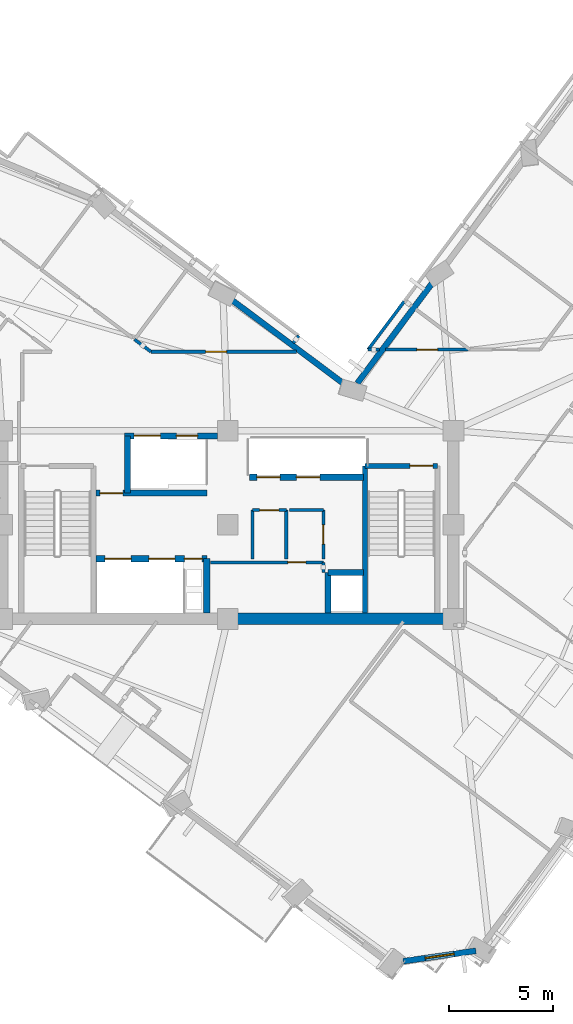
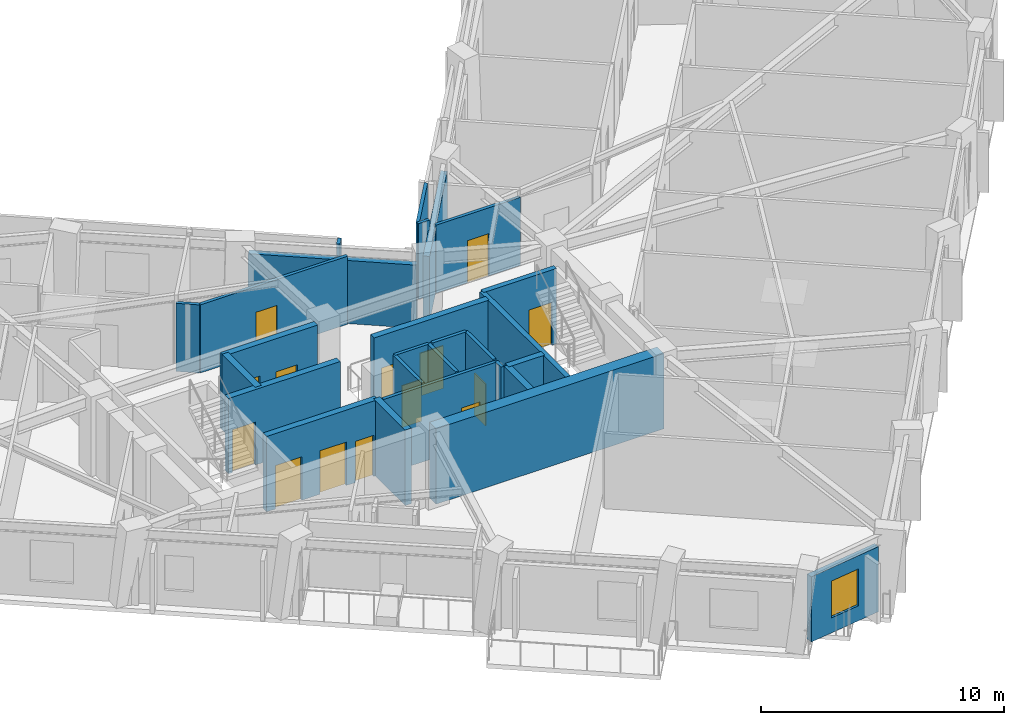
# One storey, part 4 of 12: 27 walls, 14 doors, 1 window, 15 openings.
"""IFC4 building model written with IfcOpenShell, lengths in metres."""

from ifc_helpers import new_model, si_unit, direction, frame, frame_2d, origin, place, context, subcontext, project, spatial, rectangle, extrude, material, layer, layer_set, type_object, element, fill, save


model = new_model("IFC4")

# Units and contexts
model_context = context("Model", 3, precision=1e-05, world=origin(), true_north=direction((0.0, 1.0)))
body_context = subcontext(model_context, "Body", "Model", "MODEL_VIEW")
ifc_project = project(units=[si_unit("LENGTHUNIT", "METRE"), si_unit("AREAUNIT", "SQUARE_METRE"), si_unit("VOLUMEUNIT", "CUBIC_METRE"), si_unit("PLANEANGLEUNIT", "RADIAN"), si_unit("MASSUNIT", "GRAM", prefix="KILO")], contexts=[model_context])

# Site, building, storey
site_placement = place(None, origin())
site = spatial("IfcSite", under=ifc_project, at=site_placement, CompositionType="ELEMENT")
building_placement = place(site_placement, origin())
building = spatial("IfcBuilding", under=site, at=building_placement, Name="Gaonmaruhae Medical Tower", CompositionType="ELEMENT")
storey_placement = place(building_placement, frame((0.0, 0.0, 251.199951171875)))
storey = spatial("IfcBuildingStorey", under=building, at=storey_placement, Name="L60", CompositionType="ELEMENT", Elevation=251.199951171875)

# Walls
ifc_material_1 = material(Name="Concrete C50/60", Category="concrete")
ifc_layer_1 = layer(ifc_material_1, 0.550048828125)
ifc_layer_set_1 = layer_set([ifc_layer_1], Name="Concrete C50/60")
wall_type_1 = type_object("IfcWallType", Name="CW-550 Mid-High Core Shear Wall", PredefinedType="SHEAR", material=ifc_layer_set_1)
wall_1_placement = place(storey_placement, frame((24.800048828125, 7.800048828125, 0.0), z_axis=(0.0, 0.0, 1.0), x_axis=(1.0, 0.0, 0.0)))
element("IfcWall", 1, at=wall_1_placement, inside=storey, type_object=wall_type_1, Name="L60 Core Shear Wall CSW-S2", PredefinedType="SHEAR", context=body_context, shape_type="SweptSolid", body=[
    extrude(rectangle(XDim=10.800048828125, YDim=0.550048828125, at=frame_2d((5.39990234375, 0.0))), origin(), (0.0, 0.0, 1.0), 3.780029296875),
])
ifc_material_2 = material(Name="Precast concrete C45/55", Category="concrete")
ifc_layer_2 = layer(ifc_material_2, 0.280029296875)
ifc_layer_set_2 = layer_set([ifc_layer_2], Name="Precast concrete C45/55")
wall_type_2 = type_object("IfcWallType", Name="EW-280 Upper Precast Masonry-Frame Facade Wall", PredefinedType="SOLIDWALL", material=ifc_layer_set_2)
wall_2_placement = place(storey_placement, frame((31.000244140625, 19.0712890625, 0.0), z_axis=(0.0, 0.0, 1.0), x_axis=(0.599041737495, 0.800717800938, 0.0)))
element("IfcWall", 2, at=wall_2_placement, inside=storey, type_object=wall_type_2, Name="L60 Precast Masonry-Frame Wall EN02-KN01", PredefinedType="SOLIDWALL", context=body_context, shape_type="SweptSolid", body=[
    extrude(rectangle(XDim=6.158203125, YDim=0.280029296875, at=frame_2d((3.0791015625, 0.0))), origin(), (0.0, 0.0, 1.0), 3.26513671875),
])
wall_3_placement = place(storey_placement, frame((24.9111328125, 23.1201171875, 0.0), z_axis=(0.0, 0.0, 1.0), x_axis=(0.800736238288, -0.599017092154, 0.0)))
element("IfcWall", 3, at=wall_3_placement, inside=storey, type_object=wall_type_2, Name="L60 Precast Masonry-Frame Wall KN01-NE01", PredefinedType="SOLIDWALL", context=body_context, shape_type="SweptSolid", body=[
    extrude(rectangle(XDim=6.9580078125, YDim=0.280029296875, at=frame_2d((3.47900390625, 0.0))), origin(), (0.0, 0.0, 1.0), 3.1650390625),
])

# Wall, opening, window
wall_4_placement = place(storey_placement, frame((36.677490234375, -8.083740234375, 0.0), z_axis=(0.0, 0.0, 1.0), x_axis=(-0.989775397088, -0.142634719897, 0.0)))
wall_4 = element("IfcWall", 4, at=wall_4_placement, inside=storey, type_object=wall_type_2, Name="L60 Precast Masonry-Frame Wall W06-S01", PredefinedType="SOLIDWALL", context=body_context, shape_type="SweptSolid", body=[
    extrude(rectangle(XDim=3.520751953125, YDim=0.280029296875, at=frame_2d((1.76025390625, 0.0))), origin(), (0.0, 0.0, 1.0), 3.26513671875),
])
opening_1_placement = place(wall_4_placement, frame((1.059814453125, 0.0, 0.75)))
opening_1 = element("IfcOpeningElement", 5, at=opening_1_placement, cuts=wall_4, Name="Opening WN-03", PredefinedType="OPENING", context=body_context, shape_type="SweptSolid", body=[
    extrude(rectangle(XDim=1.39990234375, YDim=1.85009765625, at=frame_2d((0.699951171875, 0.925048828125))), frame((0.0, 0.14990234375, 0.0), z_axis=(0.0, -1.0, 0.0), x_axis=(1.0, 0.0, 0.0)), (0.0, 0.0, 1.0), 0.300048828125),
])
ifc_material_3 = material(Name="Anodised aluminium and Low-E double glazing", Category="aluminium")
window_type = type_object("IfcWindowType", Name="WN-03 Isolation Ward Punched Window 1400x1850", PartitioningType="SINGLE_PANEL", PredefinedType="WINDOW", material=ifc_material_3)
window_placement = place(opening_1_placement, origin())
window = element("IfcWindow", 6, at=window_placement, inside=storey, type_object=window_type, Name="L60 Modular Facade Window W06", OverallHeight=1.85009765625, OverallWidth=1.39990234375, PartitioningType="SINGLE_PANEL", PredefinedType="WINDOW", context=body_context, shape_type="SweptSolid", body=[
    extrude(rectangle(XDim=1.39990234375, YDim=1.85009765625, at=frame_2d((0.699951171875, 0.925048828125))), frame((0.0, 0.030029296875, 0.0), z_axis=(0.0, -1.0, 0.0), x_axis=(1.0, 0.0, 0.0)), (0.0, 0.0, 1.0), 0.06005859375),
])
fill(opening_1, window)

# Wall, opening, door
ifc_material_4 = material(Name="Gypsum board partition", Category="gypsum")
ifc_layer_3 = layer(ifc_material_4, 0.14990234375)
ifc_layer_set_3 = layer_set([ifc_layer_3], Name="Gypsum board partition")
wall_type_3 = type_object("IfcWallType", Name="PW-150 Rated Clinical Corridor Partition", PredefinedType="PARTITIONING", material=ifc_layer_set_3)
wall_5_placement = place(storey_placement, frame((23.97998046875, 10.5, 0.0), z_axis=(0.0, 0.0, 1.0), x_axis=(1.0, 0.0, 0.0)))
wall_5 = element("IfcWall", 7, at=wall_5_placement, inside=storey, type_object=wall_type_3, Name="L60 Interior Partition L60-RCL1-1", PredefinedType="PARTITIONING", context=body_context, shape_type="SweptSolid", body=[
    extrude(rectangle(XDim=5.39990234375, YDim=0.14990234375, at=frame_2d((2.699951171875, 0.0))), origin(), (0.0, 0.0, 1.0), 3.780029296875),
])
opening_2_placement = place(wall_5_placement, frame((3.702880859375, 0.0, 0.0)))
opening_2 = element("IfcOpeningElement", 8, at=opening_2_placement, cuts=wall_5, Name="Opening AD-01", PredefinedType="OPENING", context=body_context, shape_type="SweptSolid", body=[
    extrude(rectangle(XDim=0.860107421875, YDim=2.06005859375, at=frame_2d((0.43017578125, 1.030029296875))), frame((0.0, 0.0849609375, 0.0), z_axis=(0.0, -1.0, 0.0), x_axis=(1.0, 0.0, 0.0)), (0.0, 0.0, 1.0), 0.169921875),
])
ifc_material_5 = material(Name="Powder-coated steel access door", Category="steel")
door_type_1 = type_object("IfcDoorType", Name="AD-01 Riser & Closet Access Fire Door 860x2060", OperationType="NOTDEFINED", PredefinedType="DOOR", material=ifc_material_5)
door_1_placement = place(opening_2_placement, origin())
door_1 = element("IfcDoor", 9, at=door_1_placement, inside=storey, type_object=door_type_1, Name="L60 Biomedical Infusion Preparation Room Sliding Door", OperationType="SLIDING_TO_LEFT", OverallHeight=2.06005859375, OverallWidth=0.860107421875, PredefinedType="DOOR", context=body_context, shape_type="SweptSolid", body=[
    extrude(rectangle(XDim=0.860107421875, YDim=2.06005859375, at=frame_2d((0.43017578125, 1.030029296875))), frame((0.0, 0.02490234375, 0.0), z_axis=(0.0, -1.0, 0.0), x_axis=(1.0, 0.0, 0.0)), (0.0, 0.0, 1.0), 0.050048828125),
])
fill(opening_2, door_1)

# Walls
wall_6_placement = place(storey_placement, frame((29.3798828125, 10.5, 0.0), z_axis=(0.0, 0.0, 1.0), x_axis=(0.0, -1.0, 0.0)))
element("IfcWall", 10, at=wall_6_placement, inside=storey, type_object=wall_type_3, Name="L60 Interior Partition L60-RCL1-2", PredefinedType="PARTITIONING", context=body_context, shape_type="SweptSolid", body=[
    extrude(rectangle(XDim=0.47998046875, YDim=0.14990234375, at=frame_2d((0.239990234375, 0.0))), origin(), (0.0, 0.0, 1.0), 3.780029296875),
])
wall_7_placement = place(storey_placement, frame((25.97998046875, 10.659912109375, 0.0), z_axis=(0.0, 0.0, 1.0), x_axis=(0.0, 1.0, 0.0)))
element("IfcWall", 11, at=wall_7_placement, inside=storey, type_object=wall_type_3, Name="L60 Interior Partition L60-CS1-3", PredefinedType="PARTITIONING", context=body_context, shape_type="SweptSolid", body=[
    extrude(rectangle(XDim=2.340087890625, YDim=0.14990234375, at=frame_2d((1.169921875, 0.0))), origin(), (0.0, 0.0, 1.0), 3.780029296875),
])

# Wall, opening, door
wall_8_placement = place(storey_placement, frame((25.97998046875, 13.0, 0.0), z_axis=(0.0, 0.0, 1.0), x_axis=(1.0, 0.0, 0.0)))
wall_8 = element("IfcWall", 12, at=wall_8_placement, inside=storey, type_object=wall_type_3, Name="L60 Interior Partition L60-CS1-4", PredefinedType="PARTITIONING", context=body_context, shape_type="SweptSolid", body=[
    extrude(rectangle(XDim=1.6201171875, YDim=0.14990234375, at=frame_2d((0.81005859375, 0.0))), origin(), (0.0, 0.0, 1.0), 3.780029296875),
])
opening_3_placement = place(wall_8_placement, frame((0.35009765625, 0.0, 0.0)))
opening_3 = element("IfcOpeningElement", 13, at=opening_3_placement, cuts=wall_8, Name="Opening UD-01", PredefinedType="OPENING", context=body_context, shape_type="SweptSolid", body=[
    extrude(rectangle(XDim=0.919921875, YDim=2.10009765625, at=frame_2d((0.4599609375, 1.050048828125))), frame((0.0, 0.0849609375, 0.0), z_axis=(0.0, -1.0, 0.0), x_axis=(1.0, 0.0, 0.0)), (0.0, 0.0, 1.0), 0.169921875),
])
ifc_material_6 = material(Name="Powder-coated steel utility door", Category="steel")
door_type_2 = type_object("IfcDoorType", Name="UD-01 Toilet, Utility & Housekeeping Door 920x2100", OperationType="NOTDEFINED", PredefinedType="DOOR", material=ifc_material_6)
door_2_placement = place(opening_3_placement, origin())
door_2 = element("IfcDoor", 14, at=door_2_placement, inside=storey, type_object=door_type_2, Name="L60 Accessible Staff Toilet Door", OperationType="SINGLE_SWING_RIGHT", OverallHeight=2.10009765625, OverallWidth=0.919921875, PredefinedType="DOOR", context=body_context, shape_type="SweptSolid", body=[
    extrude(rectangle(XDim=0.919921875, YDim=2.10009765625, at=frame_2d((0.4599609375, 1.050048828125))), frame((0.0, 0.02490234375, 0.0), z_axis=(0.0, -1.0, 0.0), x_axis=(1.0, 0.0, 0.0)), (0.0, 0.0, 1.0), 0.050048828125),
])
fill(opening_3, door_2)

# Walls
wall_9_placement = place(storey_placement, frame((27.60009765625, 13.0, 0.0), z_axis=(0.0, 0.0, 1.0), x_axis=(0.0, -1.0, 0.0)))
element("IfcWall", 15, at=wall_9_placement, inside=storey, type_object=wall_type_3, Name="L60 Interior Partition L60-CS1-5", PredefinedType="PARTITIONING", context=body_context, shape_type="SweptSolid", body=[
    extrude(rectangle(XDim=2.340087890625, YDim=0.14990234375, at=frame_2d((1.169921875, 0.0))), origin(), (0.0, 0.0, 1.0), 3.780029296875),
])
wall_10_placement = place(storey_placement, frame((27.760009765625, 13.0, 0.0), z_axis=(0.0, 0.0, 1.0), x_axis=(1.0, 0.0, 0.0)))
element("IfcWall", 16, at=wall_10_placement, inside=storey, type_object=wall_type_3, Name="L60 Interior Partition L60-CS2-6", PredefinedType="PARTITIONING", context=body_context, shape_type="SweptSolid", body=[
    extrude(rectangle(XDim=1.619873046875, YDim=0.14990234375, at=frame_2d((0.81005859375, 0.0))), origin(), (0.0, 0.0, 1.0), 3.780029296875),
])

# Wall, opening, door
wall_11_placement = place(storey_placement, frame((29.3798828125, 13.0, 0.0), z_axis=(0.0, 0.0, 1.0), x_axis=(0.0, -1.0, 0.0)))
wall_11 = element("IfcWall", 17, at=wall_11_placement, inside=storey, type_object=wall_type_3, Name="L60 Interior Partition L60-CS2-7", PredefinedType="PARTITIONING", context=body_context, shape_type="SweptSolid", body=[
    extrude(rectangle(XDim=2.340087890625, YDim=0.14990234375, at=frame_2d((1.169921875, 0.0))), origin(), (0.0, 0.0, 1.0), 3.780029296875),
])
opening_4_placement = place(wall_11_placement, frame((0.7099609375, 0.0, 0.0)))
opening_4 = element("IfcOpeningElement", 18, at=opening_4_placement, cuts=wall_11, Name="Opening UD-01", PredefinedType="OPENING", context=body_context, shape_type="SweptSolid", body=[
    extrude(rectangle(XDim=0.919921875, YDim=2.10009765625, at=frame_2d((0.4599609375, 1.050048828125))), frame((0.0, 0.0849609375, 0.0), z_axis=(0.0, -1.0, 0.0), x_axis=(1.0, 0.0, 0.0)), (0.0, 0.0, 1.0), 0.169921875),
])
door_3_placement = place(opening_4_placement, origin())
door_3 = element("IfcDoor", 19, at=door_3_placement, inside=storey, type_object=door_type_2, Name="L60 Biomedical Telemetry Closet Door", OperationType="SINGLE_SWING_RIGHT", OverallHeight=2.10009765625, OverallWidth=0.919921875, PredefinedType="DOOR", context=body_context, shape_type="SweptSolid", body=[
    extrude(rectangle(XDim=0.919921875, YDim=2.10009765625, at=frame_2d((0.4599609375, 1.050048828125))), frame((0.0, 0.02490234375, 0.0), z_axis=(0.0, -1.0, 0.0), x_axis=(1.0, 0.0, 0.0)), (0.0, 0.0, 1.0), 0.050048828125),
])
fill(opening_4, door_3)

wall_12_placement = place(storey_placement, frame((28.097900390625, 20.580078125, 0.0), z_axis=(0.0, 0.0, 1.0), x_axis=(-1.0, 0.0, 0.0)))
wall_12 = element("IfcWall", 20, at=wall_12_placement, inside=storey, type_object=wall_type_3, Name="L60 Interior Partition L60-IN01-83", PredefinedType="PARTITIONING", context=body_context, shape_type="SweptSolid", body=[
    extrude(rectangle(XDim=6.969970703125, YDim=0.14990234375, at=frame_2d((3.48486328125, 0.0))), origin(), (0.0, 0.0, 1.0), 3.4150390625),
])
opening_5_placement = place(wall_12_placement, frame((3.35205078125, 0.0, 0.0)))
opening_5 = element("IfcOpeningElement", 21, at=opening_5_placement, cuts=wall_12, Name="Opening CD-01", PredefinedType="OPENING", context=body_context, shape_type="SweptSolid", body=[
    extrude(rectangle(XDim=1.0, YDim=2.1201171875, at=frame_2d((0.5, 1.06005859375))), frame((0.0, 0.0849609375, 0.0), z_axis=(0.0, -1.0, 0.0), x_axis=(1.0, 0.0, 0.0)), (0.0, 0.0, 1.0), 0.169921875),
])
ifc_material_7 = material(Name="Antimicrobial laminate timber fire door", Category="wood")
door_type_3 = type_object("IfcDoorType", Name="CD-01 Consultation & Physician Office Door 1000x2120", OperationType="NOTDEFINED", PredefinedType="DOOR", material=ifc_material_7)
door_4_placement = place(opening_5_placement, origin())
door_4 = element("IfcDoor", 22, at=door_4_placement, inside=storey, type_object=door_type_3, Name="L60 Physician Consultation Office Door", OperationType="SINGLE_SWING_LEFT", OverallHeight=2.1201171875, OverallWidth=1.0, PredefinedType="DOOR", context=body_context, shape_type="SweptSolid", body=[
    extrude(rectangle(XDim=1.0, YDim=2.1201171875, at=frame_2d((0.5, 1.06005859375))), frame((0.0, 0.02490234375, 0.0), z_axis=(0.0, -1.0, 0.0), x_axis=(1.0, 0.0, 0.0)), (0.0, 0.0, 1.0), 0.050048828125),
])
fill(opening_5, door_4)

# Walls
wall_13_placement = place(storey_placement, frame((21.1279296875, 20.580078125, 0.0), z_axis=(0.0, 0.0, 1.0), x_axis=(-0.800745649284, 0.599004511797, 0.0)))
element("IfcWall", 23, at=wall_13_placement, inside=storey, type_object=wall_type_3, Name="L60 Interior Partition L60-IN01-84", PredefinedType="PARTITIONING", context=body_context, shape_type="SweptSolid", body=[
    extrude(rectangle(XDim=0.9814453125, YDim=0.14990234375, at=frame_2d((0.49072265625, 0.0))), origin(), (0.0, 0.0, 1.0), 3.4150390625),
])
wall_14_placement = place(storey_placement, frame((28.196044921875, 21.34912109375, 0.0), z_axis=(0.0, 0.0, 1.0), x_axis=(-0.598380616577, -0.801211980505, 0.0)))
element("IfcWall", 24, at=wall_14_placement, inside=storey, type_object=wall_type_3, Name="L60 Interior Partition L60-IN01-88", PredefinedType="PARTITIONING", context=body_context, shape_type="SweptSolid", body=[
    extrude(rectangle(XDim=0.4345703125, YDim=0.14990234375, at=frame_2d((0.21728515625, 0.0))), origin(), (0.0, 0.0, 1.0), 3.780029296875),
])
wall_15_placement = place(storey_placement, frame((31.51708984375, 20.679931640625, 0.0), z_axis=(0.0, 0.0, 1.0), x_axis=(0.598960463684, 0.800778597955, 0.0)))
element("IfcWall", 25, at=wall_15_placement, inside=storey, type_object=wall_type_3, Name="L60 Interior Partition L60-RM04-104", PredefinedType="PARTITIONING", context=body_context, shape_type="SweptSolid", body=[
    extrude(rectangle(XDim=2.894775390625, YDim=0.14990234375, at=frame_2d((1.447265625, 0.0))), origin(), (0.0, 0.0, 1.0), 3.780029296875),
])

# Wall, opening, door
wall_16_placement = place(storey_placement, frame((36.34912109375, 20.679931640625, 0.0), z_axis=(0.0, 0.0, 1.0), x_axis=(-1.0, 0.0, 0.0)))
wall_16 = element("IfcWall", 26, at=wall_16_placement, inside=storey, type_object=wall_type_3, Name="L60 Interior Partition L60-RM04-105", PredefinedType="PARTITIONING", context=body_context, shape_type="SweptSolid", body=[
    extrude(rectangle(XDim=4.002197265625, YDim=0.14990234375, at=frame_2d((2.0009765625, 0.0))), origin(), (0.0, 0.0, 1.0), 3.4150390625),
])
opening_6_placement = place(wall_16_placement, frame((1.5009765625, 0.0, 0.0)))
opening_6 = element("IfcOpeningElement", 27, at=opening_6_placement, cuts=wall_16, Name="Opening CD-01", PredefinedType="OPENING", context=body_context, shape_type="SweptSolid", body=[
    extrude(rectangle(XDim=1.0, YDim=2.1201171875, at=frame_2d((0.5, 1.06005859375))), frame((0.0, 0.0849609375, 0.0), z_axis=(0.0, -1.0, 0.0), x_axis=(1.0, 0.0, 0.0)), (0.0, 0.0, 1.0), 0.169921875),
])
door_5_placement = place(opening_6_placement, origin())
door_5 = element("IfcDoor", 28, at=door_5_placement, inside=storey, type_object=door_type_3, Name="L60 Clinical Records Office Door", OperationType="SINGLE_SWING_RIGHT", OverallHeight=2.1201171875, OverallWidth=1.0, PredefinedType="DOOR", context=body_context, shape_type="SweptSolid", body=[
    extrude(rectangle(XDim=1.0, YDim=2.1201171875, at=frame_2d((0.5, 1.06005859375))), frame((0.0, 0.02490234375, 0.0), z_axis=(0.0, -1.0, 0.0), x_axis=(1.0, 0.0, 0.0)), (0.0, 0.0, 1.0), 0.050048828125),
])
fill(opening_6, door_5)

# Wall
wall_17_placement = place(storey_placement, frame((32.06005859375, 20.679931640625, 0.0), z_axis=(0.0, 0.0, 1.0), x_axis=(-1.0, 0.0, 0.0)))
element("IfcWall", 29, at=wall_17_placement, inside=storey, type_object=wall_type_3, Name="L60 Interior Partition L60-RM04-106", PredefinedType="PARTITIONING", context=body_context, shape_type="SweptSolid", body=[
    extrude(rectangle(XDim=0.54296875, YDim=0.14990234375, at=frame_2d((0.271484375, 0.0))), origin(), (0.0, 0.0, 1.0), 3.780029296875),
])

# Wall, opening, door
ifc_layer_4 = layer(ifc_material_1, 0.239990234375)
ifc_layer_set_4 = layer_set([ifc_layer_4], Name="Concrete C50/60")
wall_type_4 = type_object("IfcWallType", Name="SW-240 Dogleg Stair Tight Shaft Wall", PredefinedType="SOLIDWALL", material=ifc_layer_set_4)
wall_18_placement = place(storey_placement, frame((31.3701171875, 15.1201171875, 0.0), z_axis=(0.0, 0.0, 1.0), x_axis=(1.0, 0.0, 0.0)))
wall_18 = element("IfcWall", 30, at=wall_18_placement, inside=storey, type_object=wall_type_4, Name="L60 ST-02 Stair Shaft Wall SHW-ST-02-N", PredefinedType="SOLIDWALL", context=body_context, shape_type="SweptSolid", body=[
    extrude(rectangle(XDim=3.4599609375, YDim=0.239990234375, at=frame_2d((1.72998046875, 0.0))), origin(), (0.0, 0.0, 1.0), 3.780029296875),
])
opening_7_placement = place(wall_18_placement, frame((2.139892578125, 0.0, 0.0)))
opening_7 = element("IfcOpeningElement", 31, at=opening_7_placement, cuts=wall_18, Name="Opening FD-01", PredefinedType="OPENING", context=body_context, shape_type="SweptSolid", body=[
    extrude(rectangle(XDim=1.10009765625, YDim=2.14990234375, at=frame_2d((0.550048828125, 1.074951171875))), frame((0.0, 0.1298828125, 0.0), z_axis=(0.0, -1.0, 0.0), x_axis=(1.0, 0.0, 0.0)), (0.0, 0.0, 1.0), 0.260009765625),
])
ifc_material_8 = material(Name="Powder-coated steel fire door", Category="steel")
door_type_4 = type_object("IfcDoorType", Name="FD-01 Escape Stair Protected Fire Door 1100x2150", OperationType="NOTDEFINED", PredefinedType="DOOR", material=ifc_material_8)
door_6_placement = place(opening_7_placement, origin())
door_6 = element("IfcDoor", 32, at=door_6_placement, inside=storey, type_object=door_type_4, Name="L60 ST-02 Protected Escape Stair Door", OperationType="SINGLE_SWING_LEFT", OverallHeight=2.14990234375, OverallWidth=1.10009765625, PredefinedType="DOOR", context=body_context, shape_type="SweptSolid", body=[
    extrude(rectangle(XDim=1.10009765625, YDim=2.14990234375, at=frame_2d((0.550048828125, 1.074951171875))), frame((0.0, 0.02490234375, 0.0), z_axis=(0.0, -1.0, 0.0), x_axis=(1.0, 0.0, 0.0)), (0.0, 0.0, 1.0), 0.050048828125),
])
fill(opening_7, door_6)

# Wall
wall_19_placement = place(storey_placement, frame((31.3701171875, 8.074951171875, 0.0), z_axis=(0.0, 0.0, 1.0), x_axis=(0.0, 1.0, 0.0)))
element("IfcWall", 33, at=wall_19_placement, inside=storey, type_object=wall_type_4, Name="L60 ST-02 Stair Shaft Wall SHW-ST-02-W", PredefinedType="SOLIDWALL", context=body_context, shape_type="SweptSolid", body=[
    extrude(rectangle(XDim=7.045166015625, YDim=0.239990234375, at=frame_2d((3.5224609375, 0.0))), origin(), (0.0, 0.0, 1.0), 3.780029296875),
])

# Wall, openings, doors
ifc_layer_5 = layer(ifc_material_1, 0.300048828125)
ifc_layer_set_5 = layer_set([ifc_layer_5], Name="Concrete C50/60")
wall_type_5 = type_object("IfcWallType", Name="SW-300 Stair & Lift Hoistway Shaft Wall", PredefinedType="SOLIDWALL", material=ifc_layer_set_5)
wall_20_placement = place(storey_placement, frame((19.85009765625, 16.550048828125, 0.0), z_axis=(0.0, 0.0, 1.0), x_axis=(1.0, 0.0, 0.0)))
wall_20 = element("IfcWall", 34, at=wall_20_placement, inside=storey, type_object=wall_type_5, Name="L60 Core Shear Wall CSW-NB", PredefinedType="SOLIDWALL", context=body_context, shape_type="SweptSolid", body=[
    extrude(rectangle(XDim=4.449951171875, YDim=0.300048828125, at=frame_2d((2.22509765625, 0.0))), origin(), (0.0, 0.0, 1.0), 3.780029296875),
])
opening_8_placement = place(wall_20_placement, frame((0.47509765625, 0.0, 0.0)))
opening_8 = element("IfcOpeningElement", 35, at=opening_8_placement, cuts=wall_20, Name="Opening LD-F1", PredefinedType="OPENING", context=body_context, shape_type="SweptSolid", body=[
    extrude(rectangle(XDim=1.25, YDim=2.179931640625, at=frame_2d((0.625, 1.08984375))), frame((0.0, 0.16015625, 0.0), z_axis=(0.0, -1.0, 0.0), x_axis=(1.0, 0.0, 0.0)), (0.0, 0.0, 1.0), 0.320068359375),
])
opening_9_placement = place(wall_20_placement, frame((2.489990234375, 0.0, 0.0)))
opening_9 = element("IfcOpeningElement", 36, at=opening_9_placement, cuts=wall_20, Name="Opening LD-S1", PredefinedType="OPENING", context=body_context, shape_type="SweptSolid", body=[
    extrude(rectangle(XDim=1.02001953125, YDim=2.1201171875, at=frame_2d((0.510009765625, 1.06005859375))), frame((0.0, 0.16015625, 0.0), z_axis=(0.0, -1.0, 0.0), x_axis=(1.0, 0.0, 0.0)), (0.0, 0.0, 1.0), 0.320068359375),
])
ifc_material_9 = material(Name="Brushed stainless steel 316L landing door", Category="steel")
door_type_5 = type_object("IfcDoorType", Name="LD-F1 Firefighting & Bed Lift Sliding Landing Door 1250x2180", OperationType="NOTDEFINED", PredefinedType="DOOR", material=ifc_material_9)
door_7_placement = place(opening_8_placement, origin())
door_7 = element("IfcDoor", 37, at=door_7_placement, inside=storey, type_object=door_type_5, Name="L60 Service/Bed Lift Landing Door BDL-01", OperationType="DOUBLE_DOOR_SLIDING", OverallHeight=2.179931640625, OverallWidth=1.25, PredefinedType="DOOR", context=body_context, shape_type="SweptSolid", body=[
    extrude(rectangle(XDim=1.25, YDim=2.179931640625, at=frame_2d((0.625, 1.08984375))), frame((0.0, 0.02490234375, 0.0), z_axis=(0.0, -1.0, 0.0), x_axis=(1.0, 0.0, 0.0)), (0.0, 0.0, 1.0), 0.050048828125),
])
fill(opening_8, door_7)
ifc_material_10 = material(Name="Brushed stainless steel 304 landing door", Category="steel")
door_type_6 = type_object("IfcDoorType", Name="LD-S1 Service Lift Sliding Landing Door 1020x2120", OperationType="NOTDEFINED", PredefinedType="DOOR", material=ifc_material_10)
door_8_placement = place(opening_9_placement, origin())
door_8 = element("IfcDoor", 38, at=door_8_placement, inside=storey, type_object=door_type_6, Name="L60 Service/Bed Lift Landing Door SVL-01", OperationType="SLIDING_TO_LEFT", OverallHeight=2.1201171875, OverallWidth=1.02001953125, PredefinedType="DOOR", context=body_context, shape_type="SweptSolid", body=[
    extrude(rectangle(XDim=1.02001953125, YDim=2.1201171875, at=frame_2d((0.510009765625, 1.06005859375))), frame((0.0, 0.02490234375, 0.0), z_axis=(0.0, -1.0, 0.0), x_axis=(1.0, 0.0, 0.0)), (0.0, 0.0, 1.0), 0.050048828125),
])
fill(opening_9, door_8)

wall_21_placement = place(storey_placement, frame((18.5, 10.679931640625, 0.0), z_axis=(0.0, 0.0, 1.0), x_axis=(1.0, 0.0, 0.0)))
wall_21 = element("IfcWall", 39, at=wall_21_placement, inside=storey, type_object=wall_type_5, Name="L60 Shaft Enclosure Wall SHW-FFN", PredefinedType="SOLIDWALL", context=body_context, shape_type="SweptSolid", body=[
    extrude(rectangle(XDim=5.300048828125, YDim=0.300048828125, at=frame_2d((2.64990234375, 0.0))), origin(), (0.0, 0.0, 1.0), 3.780029296875),
])
opening_10_placement = place(wall_21_placement, frame((4.219970703125, 0.0, 0.0)))
opening_10 = element("IfcOpeningElement", 40, at=opening_10_placement, cuts=wall_21, Name="Opening AD-01", PredefinedType="OPENING", context=body_context, shape_type="SweptSolid", body=[
    extrude(rectangle(XDim=0.860107421875, YDim=2.06005859375, at=frame_2d((0.43017578125, 1.030029296875))), frame((0.0, 0.16015625, 0.0), z_axis=(0.0, -1.0, 0.0), x_axis=(1.0, 0.0, 0.0)), (0.0, 0.0, 1.0), 0.320068359375),
])
opening_11_placement = place(wall_21_placement, frame((0.425048828125, 0.0, 0.0)))
opening_11 = element("IfcOpeningElement", 41, at=opening_11_placement, cuts=wall_21, Name="Opening LD-F1", PredefinedType="OPENING", context=body_context, shape_type="SweptSolid", body=[
    extrude(rectangle(XDim=1.25, YDim=2.179931640625, at=frame_2d((0.625, 1.08984375))), frame((0.0, 0.16015625, 0.0), z_axis=(0.0, -1.0, 0.0), x_axis=(1.0, 0.0, 0.0)), (0.0, 0.0, 1.0), 0.320068359375),
])
opening_12_placement = place(wall_21_placement, frame((2.52490234375, 0.0, 0.0)))
opening_12 = element("IfcOpeningElement", 42, at=opening_12_placement, cuts=wall_21, Name="Opening LD-F1", PredefinedType="OPENING", context=body_context, shape_type="SweptSolid", body=[
    extrude(rectangle(XDim=1.25, YDim=2.179931640625, at=frame_2d((0.625, 1.08984375))), frame((0.0, 0.16015625, 0.0), z_axis=(0.0, -1.0, 0.0), x_axis=(1.0, 0.0, 0.0)), (0.0, 0.0, 1.0), 0.320068359375),
])
door_9_placement = place(opening_10_placement, origin())
door_9 = element("IfcDoor", 43, at=door_9_placement, inside=storey, type_object=door_type_1, Name="L60 Medical Gas and MEP Riser Access Door", OperationType="SINGLE_SWING_RIGHT", OverallHeight=2.06005859375, OverallWidth=0.860107421875, PredefinedType="DOOR", context=body_context, shape_type="SweptSolid", body=[
    extrude(rectangle(XDim=0.860107421875, YDim=2.06005859375, at=frame_2d((0.43017578125, 1.030029296875))), frame((0.0, 0.02490234375, 0.0), z_axis=(0.0, -1.0, 0.0), x_axis=(1.0, 0.0, 0.0)), (0.0, 0.0, 1.0), 0.050048828125),
])
fill(opening_10, door_9)
door_10_placement = place(opening_11_placement, origin())
door_10 = element("IfcDoor", 44, at=door_10_placement, inside=storey, type_object=door_type_5, Name="L60 Firefighting Lift Landing Door FFL-01", OperationType="DOUBLE_DOOR_SLIDING", OverallHeight=2.179931640625, OverallWidth=1.25, PredefinedType="DOOR", context=body_context, shape_type="SweptSolid", body=[
    extrude(rectangle(XDim=1.25, YDim=2.179931640625, at=frame_2d((0.625, 1.08984375))), frame((0.0, 0.02490234375, 0.0), z_axis=(0.0, -1.0, 0.0), x_axis=(1.0, 0.0, 0.0)), (0.0, 0.0, 1.0), 0.050048828125),
])
fill(opening_11, door_10)
door_11_placement = place(opening_12_placement, origin())
door_11 = element("IfcDoor", 45, at=door_11_placement, inside=storey, type_object=door_type_5, Name="L60 Firefighting Lift Landing Door FFL-02", OperationType="DOUBLE_DOOR_SLIDING", OverallHeight=2.179931640625, OverallWidth=1.25, PredefinedType="DOOR", context=body_context, shape_type="SweptSolid", body=[
    extrude(rectangle(XDim=1.25, YDim=2.179931640625, at=frame_2d((0.625, 1.08984375))), frame((0.0, 0.02490234375, 0.0), z_axis=(0.0, -1.0, 0.0), x_axis=(1.0, 0.0, 0.0)), (0.0, 0.0, 1.0), 0.050048828125),
])
fill(opening_12, door_11)

# Wall, opening, door
wall_22_placement = place(storey_placement, frame((18.5, 13.820068359375, 0.0), z_axis=(0.0, 0.0, 1.0), x_axis=(1.0, 0.0, 0.0)))
wall_22 = element("IfcWall", 46, at=wall_22_placement, inside=storey, type_object=wall_type_5, Name="L60 Shaft Enclosure Wall SHW-FFL", PredefinedType="SOLIDWALL", context=body_context, shape_type="SweptSolid", body=[
    extrude(rectangle(XDim=5.300048828125, YDim=0.300048828125, at=frame_2d((2.64990234375, 0.0))), origin(), (0.0, 0.0, 1.0), 3.780029296875),
])
opening_13_placement = place(wall_22_placement, frame((0.179931640625, 0.0, 0.0)))
opening_13 = element("IfcOpeningElement", 47, at=opening_13_placement, cuts=wall_22, Name="Opening FD-01", PredefinedType="OPENING", context=body_context, shape_type="SweptSolid", body=[
    extrude(rectangle(XDim=1.10009765625, YDim=2.14990234375, at=frame_2d((0.550048828125, 1.074951171875))), frame((0.0, 0.16015625, 0.0), z_axis=(0.0, -1.0, 0.0), x_axis=(1.0, 0.0, 0.0)), (0.0, 0.0, 1.0), 0.320068359375),
])
door_12_placement = place(opening_13_placement, origin())
door_12 = element("IfcDoor", 48, at=door_12_placement, inside=storey, type_object=door_type_4, Name="L60 Firefighting Lobby Smoke Door", OperationType="SINGLE_SWING_LEFT", OverallHeight=2.14990234375, OverallWidth=1.10009765625, PredefinedType="DOOR", context=body_context, shape_type="SweptSolid", body=[
    extrude(rectangle(XDim=1.10009765625, YDim=2.14990234375, at=frame_2d((0.550048828125, 1.074951171875))), frame((0.0, 0.02490234375, 0.0), z_axis=(0.0, -1.0, 0.0), x_axis=(1.0, 0.0, 0.0)), (0.0, 0.0, 1.0), 0.050048828125),
])
fill(opening_13, door_12)

# Walls
wall_23_placement = place(storey_placement, frame((23.800048828125, 8.074951171875, 0.0), z_axis=(0.0, 0.0, 1.0), x_axis=(0.0, 1.0, 0.0)))
element("IfcWall", 49, at=wall_23_placement, inside=storey, type_object=wall_type_5, Name="L60 Shaft Enclosure Wall SHW-FFE", PredefinedType="SOLIDWALL", context=body_context, shape_type="SweptSolid", body=[
    extrude(rectangle(XDim=2.60498046875, YDim=0.300048828125, at=frame_2d((1.302490234375, 0.0))), origin(), (0.0, 0.0, 1.0), 3.780029296875),
])
wall_24_placement = place(storey_placement, frame((20.0, 13.820068359375, 0.0), z_axis=(0.0, 0.0, 1.0), x_axis=(0.0, 1.0, 0.0)))
element("IfcWall", 50, at=wall_24_placement, inside=storey, type_object=wall_type_5, Name="L60 Shaft Enclosure Wall SHW-BDW", PredefinedType="SOLIDWALL", context=body_context, shape_type="SweptSolid", body=[
    extrude(rectangle(XDim=2.72998046875, YDim=0.300048828125, at=frame_2d((1.364990234375, 0.0))), origin(), (0.0, 0.0, 1.0), 3.780029296875),
])
wall_25_placement = place(storey_placement, frame((29.60009765625, 10.02001953125, 0.0), z_axis=(0.0, 0.0, 1.0), x_axis=(1.0, 0.0, 0.0)))
element("IfcWall", 51, at=wall_25_placement, inside=storey, type_object=wall_type_5, Name="L60 Shaft Enclosure Wall SHW-PLS", PredefinedType="SOLIDWALL", context=body_context, shape_type="SweptSolid", body=[
    extrude(rectangle(XDim=1.699951171875, YDim=0.300048828125, at=frame_2d((0.85009765625, 0.0))), origin(), (0.0, 0.0, 1.0), 3.780029296875),
])
wall_26_placement = place(storey_placement, frame((29.60009765625, 8.074951171875, 0.0), z_axis=(0.0, 0.0, 1.0), x_axis=(0.0, 1.0, 0.0)))
element("IfcWall", 52, at=wall_26_placement, inside=storey, type_object=wall_type_5, Name="L60 Shaft Enclosure Wall SHW-PLD1", PredefinedType="SOLIDWALL", context=body_context, shape_type="SweptSolid", body=[
    extrude(rectangle(XDim=1.945068359375, YDim=0.300048828125, at=frame_2d((0.97265625, 0.0))), origin(), (0.0, 0.0, 1.0), 3.780029296875),
])

# Wall, openings, doors
wall_27_placement = place(storey_placement, frame((25.85009765625, 14.580078125, 0.0), z_axis=(0.0, 0.0, 1.0), x_axis=(1.0, 0.0, 0.0)))
wall_27 = element("IfcWall", 53, at=wall_27_placement, inside=storey, type_object=wall_type_5, Name="L60 Shaft Enclosure Wall SHW-PLN", PredefinedType="SOLIDWALL", context=body_context, shape_type="SweptSolid", body=[
    extrude(rectangle(XDim=5.449951171875, YDim=0.300048828125, at=frame_2d((2.72509765625, 0.0))), origin(), (0.0, 0.0, 1.0), 3.780029296875),
])
opening_14_placement = place(wall_27_placement, frame((0.340087890625, 0.0, 0.0)))
opening_14 = element("IfcOpeningElement", 54, at=opening_14_placement, cuts=wall_27, Name="Opening LD-P1", PredefinedType="OPENING", context=body_context, shape_type="SweptSolid", body=[
    extrude(rectangle(XDim=1.1201171875, YDim=2.14990234375, at=frame_2d((0.56005859375, 1.074951171875))), frame((0.0, 0.16015625, 0.0), z_axis=(0.0, -1.0, 0.0), x_axis=(1.0, 0.0, 0.0)), (0.0, 0.0, 1.0), 0.320068359375),
])
opening_15_placement = place(wall_27_placement, frame((2.239990234375, 0.0, 0.0)))
opening_15 = element("IfcOpeningElement", 55, at=opening_15_placement, cuts=wall_27, Name="Opening LD-P1", PredefinedType="OPENING", context=body_context, shape_type="SweptSolid", body=[
    extrude(rectangle(XDim=1.1201171875, YDim=2.14990234375, at=frame_2d((0.56005859375, 1.074951171875))), frame((0.0, 0.16015625, 0.0), z_axis=(0.0, -1.0, 0.0), x_axis=(1.0, 0.0, 0.0)), (0.0, 0.0, 1.0), 0.320068359375),
])
door_type_7 = type_object("IfcDoorType", Name="LD-P1 Passenger Lift Sliding Landing Door 1120x2150", OperationType="NOTDEFINED", PredefinedType="DOOR", material=ifc_material_10)
door_13_placement = place(opening_14_placement, origin())
door_13 = element("IfcDoor", 56, at=door_13_placement, inside=storey, type_object=door_type_7, Name="L60 Passenger Lift Landing Door PL-M1", OperationType="DOUBLE_DOOR_SLIDING", OverallHeight=2.14990234375, OverallWidth=1.1201171875, PredefinedType="DOOR", context=body_context, shape_type="SweptSolid", body=[
    extrude(rectangle(XDim=1.1201171875, YDim=2.14990234375, at=frame_2d((0.56005859375, 1.074951171875))), frame((0.0, 0.02490234375, 0.0), z_axis=(0.0, -1.0, 0.0), x_axis=(1.0, 0.0, 0.0)), (0.0, 0.0, 1.0), 0.050048828125),
])
fill(opening_14, door_13)
door_14_placement = place(opening_15_placement, origin())
door_14 = element("IfcDoor", 57, at=door_14_placement, inside=storey, type_object=door_type_7, Name="L60 Passenger Lift Landing Door PL-M2", OperationType="DOUBLE_DOOR_SLIDING", OverallHeight=2.14990234375, OverallWidth=1.1201171875, PredefinedType="DOOR", context=body_context, shape_type="SweptSolid", body=[
    extrude(rectangle(XDim=1.1201171875, YDim=2.14990234375, at=frame_2d((0.56005859375, 1.074951171875))), frame((0.0, 0.02490234375, 0.0), z_axis=(0.0, -1.0, 0.0), x_axis=(1.0, 0.0, 0.0)), (0.0, 0.0, 1.0), 0.050048828125),
])
fill(opening_15, door_14)

save(model, "model.ifc")
